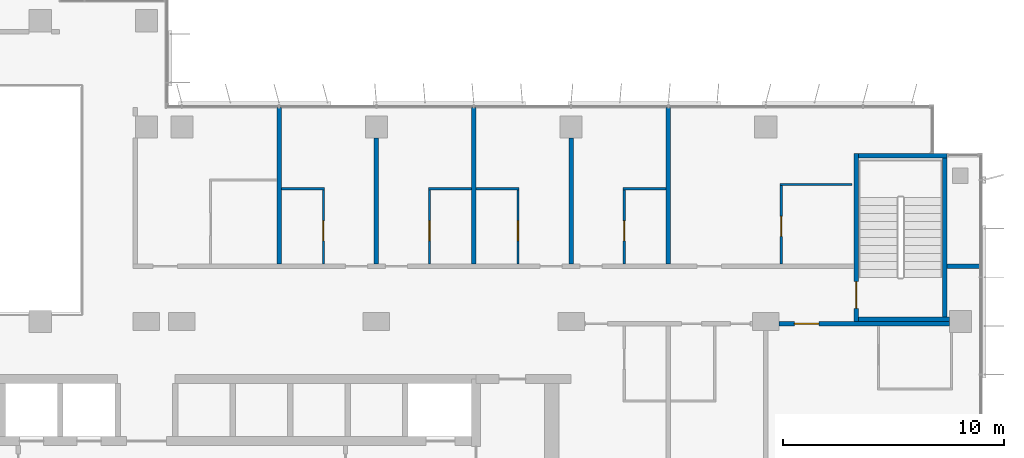
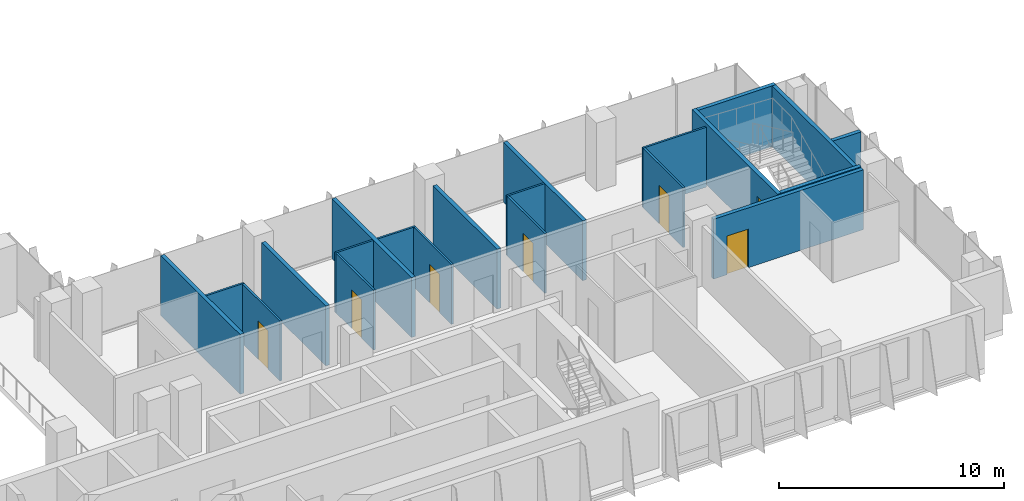
# One storey, part 15 of 21: 21 walls, 7 doors, 7 openings.
"""IFC4 building model written with IfcOpenShell, lengths in metres."""

from ifc_helpers import new_model, si_unit, direction, frame, frame_2d, origin, place, context, subcontext, project, spatial, rectangle, extrude, material, layer, layer_set, type_object, element, fill, save


model = new_model("IFC4")

# Units and contexts
model_context = context("Model", 3, precision=1e-05, world=origin(), true_north=direction((0.0, 1.0)))
body_context = subcontext(model_context, "Body", "Model", "MODEL_VIEW")
ifc_project = project(units=[si_unit("LENGTHUNIT", "METRE"), si_unit("AREAUNIT", "SQUARE_METRE"), si_unit("VOLUMEUNIT", "CUBIC_METRE"), si_unit("PLANEANGLEUNIT", "RADIAN"), si_unit("MASSUNIT", "GRAM", prefix="KILO")], contexts=[model_context])

# Site, building, storey
site_placement = place(None, origin())
site = spatial("IfcSite", under=ifc_project, at=site_placement, CompositionType="ELEMENT")
building_placement = place(site_placement, origin())
building = spatial("IfcBuilding", under=site, at=building_placement, Name="Kemantara Hotel Tower", CompositionType="ELEMENT")
storey_placement = place(building_placement, frame((0.0, 0.0, 198.800048828125)))
storey = spatial("IfcBuildingStorey", under=building, at=storey_placement, Name="L49", CompositionType="ELEMENT", Elevation=198.800048828125)

# Wall, opening, door
ifc_material_1 = material(Name="Gypsum board partition, steel studs and mineral wool, 200 mm", Category="steel")
ifc_layer_1 = layer(ifc_material_1, 0.199951171875)
ifc_layer_set_1 = layer_set([ifc_layer_1], Name="Gypsum board partition, steel studs and mineral wool, 200 mm")
wall_type_1 = type_object("IfcWallType", Name="CORRIDOR WALL 200", PredefinedType="PARTITIONING", material=ifc_layer_set_1)
wall_1_placement = place(storey_placement, frame((62.099853515625, 12.10009765625, 0.0), z_axis=(0.0, 0.0, 1.0), x_axis=(-1.0, 0.0, 0.0)))
wall_1 = element("IfcWall", 1, at=wall_1_placement, inside=storey, type_object=wall_type_1, Name="CORRIDOR WALL 200 002", PredefinedType="PARTITIONING", context=body_context, shape_type="SweptSolid", body=[
    extrude(rectangle(XDim=7.69970703125, YDim=0.199951171875, at=frame_2d((3.849853515625, 0.0))), origin(), (0.0, 0.0, 1.0), 3.25),
])
opening_1_placement = place(wall_1_placement, frame((5.89990234375, 0.0, 0.0)))
opening_1 = element("IfcOpeningElement", 2, at=opening_1_placement, cuts=wall_1, Name="Opening F23-005", PredefinedType="OPENING", context=body_context, shape_type="SweptSolid", body=[
    extrude(rectangle(XDim=1.10009765625, YDim=2.10009765625, at=frame_2d((0.550048828125, 1.050048828125))), frame((0.0, 0.10986328125, 0.0), z_axis=(0.0, -1.0, 0.0), x_axis=(1.0, 0.0, 0.0)), (0.0, 0.0, 1.0), 0.219970703125),
])
ifc_material_2 = material(Name="Hardwood veneer door leaf with steel frame", Category="steel")
door_type_1 = type_object("IfcDoorType", Name="SUITE ENTRANCE DOOR 1100 X 2100 FD30S", OperationType="NOTDEFINED", PredefinedType="DOOR", material=ifc_material_2)
door_1_placement = place(opening_1_placement, origin())
door_1 = element("IfcDoor", 3, at=door_1_placement, inside=storey, type_object=door_type_1, Name="SUITE ENTRANCE DOOR F23-005", OperationType="SINGLE_SWING_RIGHT", OverallHeight=2.10009765625, OverallWidth=1.10009765625, PredefinedType="DOOR", context=body_context, shape_type="SweptSolid", body=[
    extrude(rectangle(XDim=1.10009765625, YDim=2.10009765625, at=frame_2d((0.550048828125, 1.050048828125))), frame((0.0, 0.02490234375, 0.0), z_axis=(0.0, -1.0, 0.0), x_axis=(1.0, 0.0, 0.0)), (0.0, 0.0, 1.0), 0.050048828125),
])
fill(opening_1, door_1)

# Wall
wall_2_placement = place(storey_placement, frame((62.0, 14.699951171875, 0.0), z_axis=(0.0, 0.0, 1.0), x_axis=(1.0, 0.0, 0.0)))
element("IfcWall", 4, at=wall_2_placement, inside=storey, type_object=wall_type_1, Name="CORRIDOR WALL 200 007", PredefinedType="PARTITIONING", context=body_context, shape_type="SweptSolid", body=[
    extrude(rectangle(XDim=1.47998046875, YDim=0.199951171875, at=frame_2d((0.739990234375, 0.0))), origin(), (0.0, 0.0, 1.0), 3.25),
])

# Wall, opening, door
ifc_material_3 = material(Name="Concrete fc 40 MPa", Category="concrete")
ifc_layer_2 = layer(ifc_material_3, 0.199951171875)
ifc_layer_set_2 = layer_set([ifc_layer_2], Name="Concrete fc 40 MPa")
wall_type_2 = type_object("IfcWallType", Name="Concrete stair wall 200 mm", PredefinedType="SHEAR", material=ifc_layer_set_2)
wall_3_placement = place(storey_placement, frame((57.89990234375, 12.199951171875, 0.0), z_axis=(0.0, 0.0, 1.0), x_axis=(0.0, 1.0, 0.0)))
wall_3 = element("IfcWall", 5, at=wall_3_placement, inside=storey, type_object=wall_type_2, Name="Stair ST3 enclosure wall with door", PredefinedType="SHEAR", context=body_context, shape_type="SweptSolid", body=[
    extrude(rectangle(XDim=7.60009765625, YDim=0.199951171875, at=frame_2d((3.800048828125, 0.0))), origin(), (0.0, 0.0, 1.0), 3.300048828125),
])
opening_2_placement = place(wall_3_placement, frame((0.60009765625, 0.0, 0.0)))
opening_2 = element("IfcOpeningElement", 6, at=opening_2_placement, cuts=wall_3, Name="Opening ST3-C", PredefinedType="OPENING", context=body_context, shape_type="SweptSolid", body=[
    extrude(rectangle(XDim=1.199951171875, YDim=2.10009765625, at=frame_2d((0.60009765625, 1.050048828125))), frame((0.0, 0.10986328125, 0.0), z_axis=(0.0, -1.0, 0.0), x_axis=(1.0, 0.0, 0.0)), (0.0, 0.0, 1.0), 0.219970703125),
])
ifc_material_4 = material(Name="Steel fire door", Category="steel")
door_type_2 = type_object("IfcDoorType", Name="Fire door FD90 1200 x 2100", OperationType="NOTDEFINED", PredefinedType="DOOR", material=ifc_material_4)
door_2_placement = place(opening_2_placement, frame((1.199951171875, 0.0, 0.0), z_axis=(0.0, 0.0, 1.0), x_axis=(-1.0, 0.0, 0.0)))
door_2 = element("IfcDoor", 7, at=door_2_placement, inside=storey, type_object=door_type_2, Name="Stair ST3 door", OperationType="SINGLE_SWING_RIGHT", OverallHeight=2.10009765625, OverallWidth=1.199951171875, PredefinedType="DOOR", context=body_context, shape_type="SweptSolid", body=[
    extrude(rectangle(XDim=1.199951171875, YDim=2.10009765625, at=frame_2d((0.60009765625, 1.050048828125))), frame((0.0, 0.02490234375, 0.0), z_axis=(0.0, -1.0, 0.0), x_axis=(1.0, 0.0, 0.0)), (0.0, 0.0, 1.0), 0.050048828125),
])
fill(opening_2, door_2)

# Walls
wall_4_placement = place(storey_placement, frame((58.0, 19.699951171875, 0.0), z_axis=(0.0, 0.0, 1.0), x_axis=(1.0, 0.0, 0.0)))
element("IfcWall", 8, at=wall_4_placement, inside=storey, type_object=wall_type_2, Name="Stair ST3 enclosure wall N", PredefinedType="SHEAR", context=body_context, shape_type="SweptSolid", body=[
    extrude(rectangle(XDim=4.0, YDim=0.199951171875, at=frame_2d((2.0, 0.0))), origin(), (0.0, 0.0, 1.0), 3.300048828125),
])
wall_5_placement = place(storey_placement, frame((58.0, 12.300048828125, 0.0), z_axis=(0.0, 0.0, 1.0), x_axis=(1.0, 0.0, 0.0)))
element("IfcWall", 9, at=wall_5_placement, inside=storey, type_object=wall_type_2, Name="Stair ST3 enclosure wall S", PredefinedType="SHEAR", context=body_context, shape_type="SweptSolid", body=[
    extrude(rectangle(XDim=4.10009765625, YDim=0.199951171875, at=frame_2d((2.050048828125, 0.0))), origin(), (0.0, 0.0, 1.0), 3.300048828125),
])
wall_6_placement = place(storey_placement, frame((61.89990234375, 12.39990234375, 0.0), z_axis=(0.0, 0.0, 1.0), x_axis=(0.0, 1.0, 0.0)))
element("IfcWall", 10, at=wall_6_placement, inside=storey, type_object=wall_type_2, Name="Stair ST3 enclosure wall E", PredefinedType="SHEAR", context=body_context, shape_type="SweptSolid", body=[
    extrude(rectangle(XDim=7.2001953125, YDim=0.199951171875, at=frame_2d((3.60009765625, 0.0))), origin(), (0.0, 0.0, 1.0), 3.300048828125),
])
ifc_layer_3 = layer(ifc_material_1, 0.199951171875)
ifc_layer_set_3 = layer_set([ifc_layer_3], Name="Gypsum board partition, steel studs and mineral wool, 200 mm")
wall_type_3 = type_object("IfcWallType", Name="GUEST ROOM PARTY WALL 200", PredefinedType="PARTITIONING", material=ifc_layer_set_3)
for number, where, z_axis, x_axis, name in (
    (11, (49.39990234375, 14.800048828125, 0.0), (0.0, 0.0, 1.0), (0.0, 1.0, 0.0), "GUEST ROOM PARTY WALL 200 004"),
    (12, (31.800048828125, 14.800048828125, 0.0), (0.0, 0.0, 1.0), (0.0, 1.0, 0.0), "GUEST ROOM PARTY WALL 200 010"),
):
    element("IfcWall", number, at=place(storey_placement, frame(where, z_axis=z_axis, x_axis=x_axis)), inside=storey, type_object=wall_type_3, Name=name, PredefinedType="PARTITIONING", context=body_context, shape_type="SweptSolid", body=[
        extrude(rectangle(XDim=7.070068359375, YDim=0.199951171875, at=frame_2d((3.53515625, 0.0))), origin(), (0.0, 0.0, 1.0), 3.25),
    ])
wall_7_placement = place(storey_placement, frame((36.199951171875, 14.800048828125, 0.0), z_axis=(0.0, 0.0, 1.0), x_axis=(0.0, 1.0, 0.0)))
element("IfcWall", 13, at=wall_7_placement, inside=storey, type_object=wall_type_3, Name="GUEST ROOM PARTY WALL 200 011", PredefinedType="PARTITIONING", context=body_context, shape_type="SweptSolid", body=[
    extrude(rectangle(XDim=5.699951171875, YDim=0.199951171875, at=frame_2d((2.85009765625, 0.0))), origin(), (0.0, 0.0, 1.0), 3.25),
])
wall_8_placement = place(storey_placement, frame((40.60009765625, 14.800048828125, 0.0), z_axis=(0.0, 0.0, 1.0), x_axis=(0.0, 1.0, 0.0)))
element("IfcWall", 14, at=wall_8_placement, inside=storey, type_object=wall_type_3, Name="GUEST ROOM PARTY WALL 200 012", PredefinedType="PARTITIONING", context=body_context, shape_type="SweptSolid", body=[
    extrude(rectangle(XDim=7.070068359375, YDim=0.199951171875, at=frame_2d((3.53515625, 0.0))), origin(), (0.0, 0.0, 1.0), 3.25),
])
wall_9_placement = place(storey_placement, frame((45.0, 14.800048828125, 0.0), z_axis=(0.0, 0.0, 1.0), x_axis=(0.0, 1.0, 0.0)))
element("IfcWall", 15, at=wall_9_placement, inside=storey, type_object=wall_type_3, Name="GUEST ROOM PARTY WALL 200 013", PredefinedType="PARTITIONING", context=body_context, shape_type="SweptSolid", body=[
    extrude(rectangle(XDim=5.699951171875, YDim=0.199951171875, at=frame_2d((2.85009765625, 0.0))), origin(), (0.0, 0.0, 1.0), 3.25),
])

# Wall, opening, door
ifc_material_5 = material(Name="Gypsum board partition on steel studs, 100 mm", Category="steel")
ifc_layer_4 = layer(ifc_material_5, 0.10009765625)
ifc_layer_set_4 = layer_set([ifc_layer_4], Name="Gypsum board partition on steel studs, 100 mm")
wall_type_4 = type_object("IfcWallType", Name="ROOM PARTITION 100", PredefinedType="PARTITIONING", material=ifc_layer_set_4)
wall_10_placement = place(storey_placement, frame((47.39990234375, 18.14990234375, 0.0), z_axis=(0.0, 0.0, 1.0), x_axis=(0.0, -1.0, 0.0)))
wall_10 = element("IfcWall", 16, at=wall_10_placement, inside=storey, type_object=wall_type_4, Name="ROOM PARTITION 100 035", PredefinedType="PARTITIONING", context=body_context, shape_type="SweptSolid", body=[
    extrude(rectangle(XDim=3.349853515625, YDim=0.10009765625, at=frame_2d((1.6748046875, 0.0))), origin(), (0.0, 0.0, 1.0), 3.25),
])
opening_3_placement = place(wall_10_placement, frame((1.39990234375, 0.0, 0.0)))
opening_3 = element("IfcOpeningElement", 17, at=opening_3_placement, cuts=wall_10, Name="Opening F23-016", PredefinedType="OPENING", context=body_context, shape_type="SweptSolid", body=[
    extrude(rectangle(XDim=0.89990234375, YDim=2.10009765625, at=frame_2d((0.449951171875, 1.050048828125))), frame((0.0, 0.06005859375, 0.0), z_axis=(0.0, -1.0, 0.0), x_axis=(1.0, 0.0, 0.0)), (0.0, 0.0, 1.0), 0.1201171875),
])
door_type_3 = type_object("IfcDoorType", Name="BATHROOM DOOR 900 X 2100", OperationType="NOTDEFINED", PredefinedType="DOOR", material=ifc_material_2)
door_3_placement = place(opening_3_placement, origin())
door_3 = element("IfcDoor", 18, at=door_3_placement, inside=storey, type_object=door_type_3, Name="BATHROOM DOOR F23-016", OperationType="SINGLE_SWING_RIGHT", OverallHeight=2.10009765625, OverallWidth=0.89990234375, PredefinedType="DOOR", context=body_context, shape_type="SweptSolid", body=[
    extrude(rectangle(XDim=0.89990234375, YDim=2.10009765625, at=frame_2d((0.449951171875, 1.050048828125))), frame((0.0, 0.02490234375, 0.0), z_axis=(0.0, -1.0, 0.0), x_axis=(1.0, 0.0, 0.0)), (0.0, 0.0, 1.0), 0.050048828125),
])
fill(opening_3, door_3)

# Walls
wall_11_placement = place(storey_placement, frame((31.89990234375, 18.199951171875, 0.0), z_axis=(0.0, 0.0, 1.0), x_axis=(1.0, 0.0, 0.0)))
element("IfcWall", 19, at=wall_11_placement, inside=storey, type_object=wall_type_4, Name="ROOM PARTITION 100 042", PredefinedType="PARTITIONING", context=body_context, shape_type="SweptSolid", body=[
    extrude(rectangle(XDim=1.9501953125, YDim=0.10009765625, at=frame_2d((0.97509765625, 0.0))), origin(), (0.0, 0.0, 1.0), 3.25),
])
for number, where, z_axis, x_axis, name in (
    (20, (38.550048828125, 18.199951171875, 0.0), (0.0, 0.0, 1.0), (1.0, 0.0, 0.0), "ROOM PARTITION 100 043"),
    (21, (40.699951171875, 18.199951171875, 0.0), (0.0, 0.0, 1.0), (1.0, 0.0, 0.0), "ROOM PARTITION 100 044"),
    (22, (47.35009765625, 18.199951171875, 0.0), (0.0, 0.0, 1.0), (1.0, 0.0, 0.0), "ROOM PARTITION 100 045"),
):
    element("IfcWall", number, at=place(storey_placement, frame(where, z_axis=z_axis, x_axis=x_axis)), inside=storey, type_object=wall_type_4, Name=name, PredefinedType="PARTITIONING", context=body_context, shape_type="SweptSolid", body=[
        extrude(rectangle(XDim=1.949951171875, YDim=0.10009765625, at=frame_2d((0.97509765625, 0.0))), origin(), (0.0, 0.0, 1.0), 3.25),
    ])

# Wall, opening, door
wall_12_placement = place(storey_placement, frame((33.800048828125, 14.800048828125, 0.0), z_axis=(0.0, 0.0, 1.0), x_axis=(0.0, 1.0, 0.0)))
wall_12 = element("IfcWall", 23, at=wall_12_placement, inside=storey, type_object=wall_type_4, Name="ROOM PARTITION 100 046", PredefinedType="PARTITIONING", context=body_context, shape_type="SweptSolid", body=[
    extrude(rectangle(XDim=3.349853515625, YDim=0.10009765625, at=frame_2d((1.6748046875, 0.0))), origin(), (0.0, 0.0, 1.0), 3.25),
])
opening_4_placement = place(wall_12_placement, frame((1.050048828125, 0.0, 0.0)))
opening_4 = element("IfcOpeningElement", 24, at=opening_4_placement, cuts=wall_12, Name="Opening F23-010", PredefinedType="OPENING", context=body_context, shape_type="SweptSolid", body=[
    extrude(rectangle(XDim=0.89990234375, YDim=2.10009765625, at=frame_2d((0.449951171875, 1.050048828125))), frame((0.0, 0.06005859375, 0.0), z_axis=(0.0, -1.0, 0.0), x_axis=(1.0, 0.0, 0.0)), (0.0, 0.0, 1.0), 0.1201171875),
])
door_4_placement = place(opening_4_placement, origin())
door_4 = element("IfcDoor", 25, at=door_4_placement, inside=storey, type_object=door_type_3, Name="BATHROOM DOOR F23-010", OperationType="SINGLE_SWING_LEFT", OverallHeight=2.10009765625, OverallWidth=0.89990234375, PredefinedType="DOOR", context=body_context, shape_type="SweptSolid", body=[
    extrude(rectangle(XDim=0.89990234375, YDim=2.10009765625, at=frame_2d((0.449951171875, 1.050048828125))), frame((0.0, 0.02490234375, 0.0), z_axis=(0.0, -1.0, 0.0), x_axis=(1.0, 0.0, 0.0)), (0.0, 0.0, 1.0), 0.050048828125),
])
fill(opening_4, door_4)

wall_13_placement = place(storey_placement, frame((38.60009765625, 18.14990234375, 0.0), z_axis=(0.0, 0.0, 1.0), x_axis=(0.0, -1.0, 0.0)))
wall_13 = element("IfcWall", 26, at=wall_13_placement, inside=storey, type_object=wall_type_4, Name="ROOM PARTITION 100 047", PredefinedType="PARTITIONING", context=body_context, shape_type="SweptSolid", body=[
    extrude(rectangle(XDim=3.349853515625, YDim=0.10009765625, at=frame_2d((1.6748046875, 0.0))), origin(), (0.0, 0.0, 1.0), 3.25),
])
opening_5_placement = place(wall_13_placement, frame((1.39990234375, 0.0, 0.0)))
opening_5 = element("IfcOpeningElement", 27, at=opening_5_placement, cuts=wall_13, Name="Opening F23-012", PredefinedType="OPENING", context=body_context, shape_type="SweptSolid", body=[
    extrude(rectangle(XDim=0.89990234375, YDim=2.10009765625, at=frame_2d((0.449951171875, 1.050048828125))), frame((0.0, 0.06005859375, 0.0), z_axis=(0.0, -1.0, 0.0), x_axis=(1.0, 0.0, 0.0)), (0.0, 0.0, 1.0), 0.1201171875),
])
door_5_placement = place(opening_5_placement, origin())
door_5 = element("IfcDoor", 28, at=door_5_placement, inside=storey, type_object=door_type_3, Name="BATHROOM DOOR F23-012", OperationType="SINGLE_SWING_RIGHT", OverallHeight=2.10009765625, OverallWidth=0.89990234375, PredefinedType="DOOR", context=body_context, shape_type="SweptSolid", body=[
    extrude(rectangle(XDim=0.89990234375, YDim=2.10009765625, at=frame_2d((0.449951171875, 1.050048828125))), frame((0.0, 0.02490234375, 0.0), z_axis=(0.0, -1.0, 0.0), x_axis=(1.0, 0.0, 0.0)), (0.0, 0.0, 1.0), 0.050048828125),
])
fill(opening_5, door_5)

wall_14_placement = place(storey_placement, frame((42.60009765625, 14.800048828125, 0.0), z_axis=(0.0, 0.0, 1.0), x_axis=(0.0, 1.0, 0.0)))
wall_14 = element("IfcWall", 29, at=wall_14_placement, inside=storey, type_object=wall_type_4, Name="ROOM PARTITION 100 048", PredefinedType="PARTITIONING", context=body_context, shape_type="SweptSolid", body=[
    extrude(rectangle(XDim=3.349853515625, YDim=0.10009765625, at=frame_2d((1.6748046875, 0.0))), origin(), (0.0, 0.0, 1.0), 3.25),
])
opening_6_placement = place(wall_14_placement, frame((1.050048828125, 0.0, 0.0)))
opening_6 = element("IfcOpeningElement", 30, at=opening_6_placement, cuts=wall_14, Name="Opening F23-014", PredefinedType="OPENING", context=body_context, shape_type="SweptSolid", body=[
    extrude(rectangle(XDim=0.89990234375, YDim=2.10009765625, at=frame_2d((0.449951171875, 1.050048828125))), frame((0.0, 0.06005859375, 0.0), z_axis=(0.0, -1.0, 0.0), x_axis=(1.0, 0.0, 0.0)), (0.0, 0.0, 1.0), 0.1201171875),
])
door_6_placement = place(opening_6_placement, origin())
door_6 = element("IfcDoor", 31, at=door_6_placement, inside=storey, type_object=door_type_3, Name="BATHROOM DOOR F23-014", OperationType="SINGLE_SWING_LEFT", OverallHeight=2.10009765625, OverallWidth=0.89990234375, PredefinedType="DOOR", context=body_context, shape_type="SweptSolid", body=[
    extrude(rectangle(XDim=0.89990234375, YDim=2.10009765625, at=frame_2d((0.449951171875, 1.050048828125))), frame((0.0, 0.02490234375, 0.0), z_axis=(0.0, -1.0, 0.0), x_axis=(1.0, 0.0, 0.0)), (0.0, 0.0, 1.0), 0.050048828125),
])
fill(opening_6, door_6)

# Wall
wall_15_placement = place(storey_placement, frame((54.449951171875, 18.39990234375, 0.0), z_axis=(0.0, 0.0, 1.0), x_axis=(1.0, 0.0, 0.0)))
element("IfcWall", 32, at=wall_15_placement, inside=storey, type_object=wall_type_4, Name="ROOM PARTITION 100 049", PredefinedType="PARTITIONING", context=body_context, shape_type="SweptSolid", body=[
    extrude(rectangle(XDim=3.25, YDim=0.10009765625, at=frame_2d((1.625, 0.0))), origin(), (0.0, 0.0, 1.0), 3.25),
])

# Wall, opening, door
wall_16_placement = place(storey_placement, frame((54.5, 18.35009765625, 0.0), z_axis=(0.0, 0.0, 1.0), x_axis=(0.0, -1.0, 0.0)))
wall_16 = element("IfcWall", 33, at=wall_16_placement, inside=storey, type_object=wall_type_4, Name="ROOM PARTITION 100 050", PredefinedType="PARTITIONING", context=body_context, shape_type="SweptSolid", body=[
    extrude(rectangle(XDim=3.550048828125, YDim=0.10009765625, at=frame_2d((1.77490234375, 0.0))), origin(), (0.0, 0.0, 1.0), 3.25),
])
opening_7_placement = place(wall_16_placement, frame((1.39990234375, 0.0, 0.0)))
opening_7 = element("IfcOpeningElement", 34, at=opening_7_placement, cuts=wall_16, Name="Opening F23-018", PredefinedType="OPENING", context=body_context, shape_type="SweptSolid", body=[
    extrude(rectangle(XDim=0.89990234375, YDim=2.10009765625, at=frame_2d((0.449951171875, 1.050048828125))), frame((0.0, 0.06005859375, 0.0), z_axis=(0.0, -1.0, 0.0), x_axis=(1.0, 0.0, 0.0)), (0.0, 0.0, 1.0), 0.1201171875),
])
door_7_placement = place(opening_7_placement, origin())
door_7 = element("IfcDoor", 35, at=door_7_placement, inside=storey, type_object=door_type_3, Name="BATHROOM DOOR F23-018", OperationType="SINGLE_SWING_RIGHT", OverallHeight=2.10009765625, OverallWidth=0.89990234375, PredefinedType="DOOR", context=body_context, shape_type="SweptSolid", body=[
    extrude(rectangle(XDim=0.89990234375, YDim=2.10009765625, at=frame_2d((0.449951171875, 1.050048828125))), frame((0.0, 0.02490234375, 0.0), z_axis=(0.0, -1.0, 0.0), x_axis=(1.0, 0.0, 0.0)), (0.0, 0.0, 1.0), 0.050048828125),
])
fill(opening_7, door_7)

save(model, "model.ifc")
